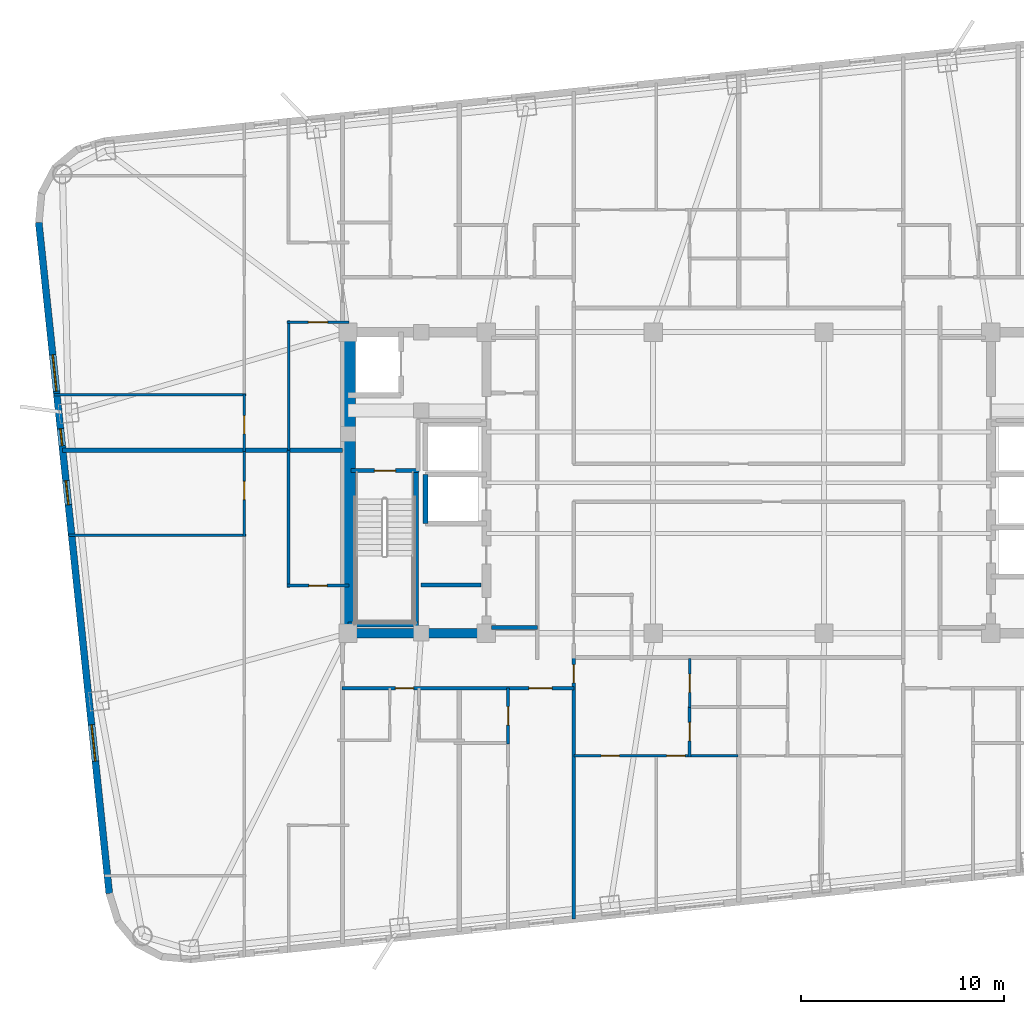
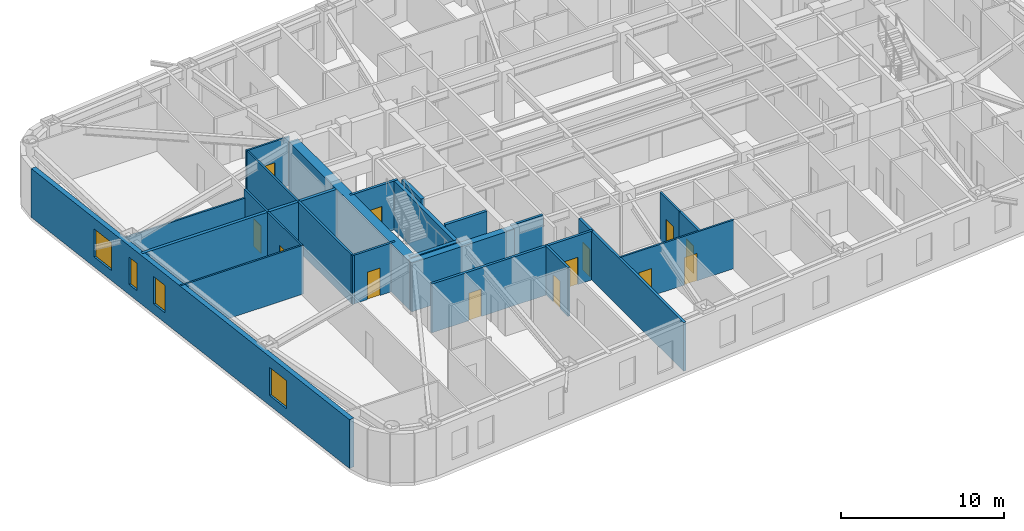
# One storey, part 3 of 12: 24 walls, 13 doors, 4 windows, 17 openings.
"""IFC4 building model written with IfcOpenShell, lengths in metres."""

from ifc_helpers import new_model, si_unit, direction, frame, frame_2d, origin, place, context, subcontext, project, spatial, rectangle, extrude, material, layer, layer_set, type_object, element, fill, save


model = new_model("IFC4")

# Units and contexts
model_context = context("Model", 3, precision=1e-05, world=origin(), true_north=direction((0.0, 1.0)))
body_context = subcontext(model_context, "Body", "Model", "MODEL_VIEW")
ifc_project = project(units=[si_unit("LENGTHUNIT", "METRE"), si_unit("AREAUNIT", "SQUARE_METRE"), si_unit("VOLUMEUNIT", "CUBIC_METRE"), si_unit("PLANEANGLEUNIT", "RADIAN"), si_unit("MASSUNIT", "GRAM", prefix="KILO")], contexts=[model_context])

# Site, building, storey
site_placement = place(None, origin())
site = spatial("IfcSite", under=ifc_project, at=site_placement, CompositionType="ELEMENT")
building_placement = place(site_placement, origin())
building = spatial("IfcBuilding", under=site, at=building_placement, Name="Voryun Gate Residences", CompositionType="ELEMENT")
storey_placement = place(building_placement, frame((0.0, 0.0, 167.699951171875)))
storey = spatial("IfcBuildingStorey", under=building, at=storey_placement, Name="L41", CompositionType="ELEMENT", Elevation=167.699951171875)

# Walls
ifc_material_1 = material(Name="Concrete C50/60", Category="concrete")
ifc_layer_1 = layer(ifc_material_1, 0.449951171875, Name="CW_CORE_450")
ifc_layer_set_1 = layer_set([ifc_layer_1], Name="Concrete C50/60")
wall_type_1 = type_object("IfcWallType", Name="CW_CORE_450", PredefinedType="SHEAR", material=ifc_layer_set_1)
wall_1_placement = place(storey_placement, frame((-19.425048828125, -7.39990234375, 0.0), z_axis=(0.0, 0.0, 1.0), x_axis=(1.0, 0.0, 0.0)))
element("IfcWall", 1, at=wall_1_placement, inside=storey, type_object=wall_type_1, Name="L41 Core shear wall CW-L41-WS", PredefinedType="SHEAR", context=body_context, shape_type="SweptSolid", body=[
    extrude(rectangle(XDim=7.25, YDim=0.449951171875, at=frame_2d((3.625, 0.0))), origin(), (0.0, 0.0, 1.0), 3.650146484375),
])
ifc_material_2 = material(Name="Concrete C60/75", Category="concrete")
ifc_layer_2 = layer(ifc_material_2, 0.64990234375, Name="CW_CORE_650")
ifc_layer_set_2 = layer_set([ifc_layer_2], Name="Concrete C60/75")
wall_type_2 = type_object("IfcWallType", Name="CW_CORE_650", PredefinedType="SHEAR", material=ifc_layer_set_2)
wall_2_placement = place(storey_placement, frame((-19.14501953125, -7.39990234375, 0.0), z_axis=(0.0, 0.0, 1.0), x_axis=(0.0, 1.0, 0.0)))
element("IfcWall", 2, at=wall_2_placement, inside=storey, type_object=wall_type_2, Name="L41 Core shear wall CW-L41-WW", PredefinedType="SHEAR", context=body_context, shape_type="SweptSolid", body=[
    extrude(rectangle(XDim=14.7998046875, YDim=0.64990234375, at=frame_2d((7.39990234375, 0.0))), origin(), (0.0, 0.0, 1.0), 3.650146484375),
])

# Wall, opening, door
ifc_material_3 = material(Name="Gypsum acoustic fireboard")
ifc_layer_3 = layer(ifc_material_3, 0.179931640625, Name="W_CORR_RATED_180")
ifc_layer_set_3 = layer_set([ifc_layer_3], Name="Gypsum acoustic fireboard")
wall_type_3 = type_object("IfcWallType", Name="W_CORR_RATED_180", PredefinedType="PARTITIONING", material=ifc_layer_set_3)
wall_3_placement = place(storey_placement, frame((-19.06005859375, 0.60009765625, 0.0), z_axis=(0.0, 0.0, 1.0), x_axis=(1.0, 0.0, 0.0)))
wall_3 = element("IfcWall", 3, at=wall_3_placement, inside=storey, type_object=wall_type_3, Name="Partition wall WP-L41-STV-W", PredefinedType="PARTITIONING", context=body_context, shape_type="SweptSolid", body=[
    extrude(rectangle(XDim=3.360107421875, YDim=0.179931640625, at=frame_2d((1.68017578125, 0.0))), origin(), (0.0, 0.0, 1.0), 3.650146484375),
])
opening_1_placement = place(wall_3_placement, frame((1.155029296875, 0.0, 0.0)))
opening_1 = element("IfcOpeningElement", 4, at=opening_1_placement, cuts=wall_3, Name="Opening D-FD60-1", PredefinedType="OPENING", context=body_context, shape_type="SweptSolid", body=[
    extrude(rectangle(XDim=1.050048828125, YDim=2.050048828125, at=frame_2d((0.52490234375, 1.02490234375))), frame((0.0, 0.099853515625, 0.0), z_axis=(0.0, -1.0, 0.0), x_axis=(1.0, 0.0, 0.0)), (0.0, 0.0, 1.0), 0.199951171875),
])
ifc_material_4 = material(Name="Painted steel fire door", Category="steel")
door_type_1 = type_object("IfcDoorType", Name="DR_FD60_STAIR_1050", OperationType="NOTDEFINED", PredefinedType="DOOR", material=ifc_material_4)
door_1_placement = place(opening_1_placement, origin())
door_1 = element("IfcDoor", 5, at=door_1_placement, inside=storey, type_object=door_type_1, Name="Door DR-L41-ST-W", OperationType="SINGLE_SWING_LEFT", OverallHeight=2.050048828125, OverallWidth=1.050048828125, PredefinedType="DOOR", context=body_context, shape_type="SweptSolid", body=[
    extrude(rectangle(XDim=1.050048828125, YDim=2.050048828125, at=frame_2d((0.52490234375, 1.02490234375))), frame((0.0, 0.02490234375, 0.0), z_axis=(0.0, -1.0, 0.0), x_axis=(1.0, 0.0, 0.0)), (0.0, 0.0, 1.0), 0.050048828125),
])
fill(opening_1, door_1)

# Wall
wall_4_placement = place(storey_placement, frame((-12.14990234375, -7.1201171875, 0.0), z_axis=(0.0, 0.0, 1.0), x_axis=(1.0, 0.0, 0.0)))
element("IfcWall", 6, at=wall_4_placement, inside=storey, type_object=wall_type_3, Name="Partition wall WP-L41-PLBS-W", PredefinedType="PARTITIONING", context=body_context, shape_type="SweptSolid", body=[
    extrude(rectangle(XDim=2.27001953125, YDim=0.179931640625, at=frame_2d((1.135009765625, 0.0))), origin(), (0.0, 0.0, 1.0), 3.650146484375),
])

# Wall, openings, doors
wall_5_placement = place(storey_placement, frame((-19.5, -10.10009765625, 0.0), z_axis=(0.0, 0.0, 1.0), x_axis=(1.0, 0.0, 0.0)))
wall_5 = element("IfcWall", 7, at=wall_5_placement, inside=storey, type_object=wall_type_3, Name="Partition wall WP-L41-SCORR-W", PredefinedType="PARTITIONING", context=body_context, shape_type="SweptSolid", body=[
    extrude(rectangle(XDim=11.419921875, YDim=0.179931640625, at=frame_2d((5.7099609375, 0.0))), origin(), (0.0, 0.0, 1.0), 3.650146484375),
])
opening_2_placement = place(wall_5_placement, frame((2.623046875, 0.0, 0.0)))
opening_2 = element("IfcOpeningElement", 8, at=opening_2_placement, cuts=wall_5, Name="Opening D-INT-2", PredefinedType="OPENING", context=body_context, shape_type="SweptSolid", body=[
    extrude(rectangle(XDim=0.89990234375, YDim=2.050048828125, at=frame_2d((0.449951171875, 1.02490234375))), frame((0.0, 0.099853515625, 0.0), z_axis=(0.0, -1.0, 0.0), x_axis=(1.0, 0.0, 0.0)), (0.0, 0.0, 1.0), 0.199951171875),
])
opening_3_placement = place(wall_5_placement, frame((9.189208984375, 0.0, 0.0)))
opening_3 = element("IfcOpeningElement", 9, at=opening_3_placement, cuts=wall_5, Name="Opening D-UNIT-1", PredefinedType="OPENING", context=body_context, shape_type="SweptSolid", body=[
    extrude(rectangle(XDim=1.14990234375, YDim=2.050048828125, at=frame_2d((0.574951171875, 1.02490234375))), frame((0.0, 0.099853515625, 0.0), z_axis=(0.0, -1.0, 0.0), x_axis=(1.0, 0.0, 0.0)), (0.0, 0.0, 1.0), 0.199951171875),
])
ifc_material_5 = material(Name="Architectural oak veneer")
door_type_2 = type_object("IfcDoorType", Name="DR_INT_BATH_900", OperationType="NOTDEFINED", PredefinedType="DOOR", material=ifc_material_5)
door_2_placement = place(opening_2_placement, origin())
door_2 = element("IfcDoor", 10, at=door_2_placement, inside=storey, type_object=door_type_2, Name="Door DR-L41-SENT-1", OperationType="SINGLE_SWING_RIGHT", OverallHeight=2.050048828125, OverallWidth=0.89990234375, PredefinedType="DOOR", context=body_context, shape_type="SweptSolid", body=[
    extrude(rectangle(XDim=0.89990234375, YDim=2.050048828125, at=frame_2d((0.449951171875, 1.02490234375))), frame((0.0, 0.02490234375, 0.0), z_axis=(0.0, -1.0, 0.0), x_axis=(1.0, 0.0, 0.0)), (0.0, 0.0, 1.0), 0.050048828125),
])
fill(opening_2, door_2)
ifc_material_6 = material(Name="Armoured timber-clad fire door", Category="wood")
door_type_3 = type_object("IfcDoorType", Name="DR_UNIT_ENTRY_1150", OperationType="NOTDEFINED", PredefinedType="DOOR", material=ifc_material_6)
door_3_placement = place(opening_3_placement, origin())
door_3 = element("IfcDoor", 11, at=door_3_placement, inside=storey, type_object=door_type_3, Name="Door DR-L41-SENT-2", OperationType="SINGLE_SWING_LEFT", OverallHeight=2.050048828125, OverallWidth=1.14990234375, PredefinedType="DOOR", context=body_context, shape_type="SweptSolid", body=[
    extrude(rectangle(XDim=1.14990234375, YDim=2.050048828125, at=frame_2d((0.574951171875, 1.02490234375))), frame((0.0, 0.02490234375, 0.0), z_axis=(0.0, -1.0, 0.0), x_axis=(1.0, 0.0, 0.0)), (0.0, 0.0, 1.0), 0.050048828125),
])
fill(opening_3, door_3)

# Wall, opening, door
wall_6_placement = place(storey_placement, frame((-8.10009765625, -21.456298828125, 0.0), z_axis=(0.0, 0.0, 1.0), x_axis=(0.0, 1.0, 0.0)))
wall_6 = element("IfcWall", 12, at=wall_6_placement, inside=storey, type_object=wall_type_3, Name="Partition wall WP-L41-SZV-1", PredefinedType="PARTITIONING", context=body_context, shape_type="SweptSolid", body=[
    extrude(rectangle(XDim=12.8662109375, YDim=0.179931640625, at=frame_2d((6.43310546875, 0.0))), origin(), (0.0, 0.0, 1.0), 3.650146484375),
])
opening_4_placement = place(wall_6_placement, frame((11.6162109375, 0.0, 0.0)))
opening_4 = element("IfcOpeningElement", 13, at=opening_4_placement, cuts=wall_6, Name="Opening D-INT-2", PredefinedType="OPENING", context=body_context, shape_type="SweptSolid", body=[
    extrude(rectangle(XDim=0.89990234375, YDim=2.050048828125, at=frame_2d((0.449951171875, 1.02490234375))), frame((0.0, 0.099853515625, 0.0), z_axis=(0.0, -1.0, 0.0), x_axis=(1.0, 0.0, 0.0)), (0.0, 0.0, 1.0), 0.199951171875),
])
door_4_placement = place(opening_4_placement, origin())
door_4 = element("IfcDoor", 14, at=door_4_placement, inside=storey, type_object=door_type_2, Name="Door DR-L41-SZENT-1", OperationType="SINGLE_SWING_LEFT", OverallHeight=2.050048828125, OverallWidth=0.89990234375, PredefinedType="DOOR", context=body_context, shape_type="SweptSolid", body=[
    extrude(rectangle(XDim=0.89990234375, YDim=2.050048828125, at=frame_2d((0.449951171875, 1.02490234375))), frame((0.0, 0.02490234375, 0.0), z_axis=(0.0, -1.0, 0.0), x_axis=(1.0, 0.0, 0.0)), (0.0, 0.0, 1.0), 0.050048828125),
])
fill(opening_4, door_4)

# Wall, openings, windows
ifc_material_7 = material(Name="Charcoal terracotta masonry", Category="masonry")
ifc_layer_4 = layer(ifc_material_7, 0.340087890625, Name="W_EXT_TERRACOTTA_340")
ifc_layer_set_4 = layer_set([ifc_layer_4], Name="Charcoal terracotta masonry")
wall_type_4 = type_object("IfcWallType", Name="W_EXT_TERRACOTTA_340", PredefinedType="ELEMENTEDWALL", material=ifc_layer_set_4)
wall_7_placement = place(storey_placement, frame((-30.934326171875, -20.189697265625, 0.0), z_axis=(0.0, 0.0, 1.0), x_axis=(-0.10452691388, 0.994522058214, 0.0)))
wall_7 = element("IfcWall", 15, at=wall_7_placement, inside=storey, type_object=wall_type_4, Name="Exterior wall WEXT-L41-06", PredefinedType="ELEMENTEDWALL", context=body_context, shape_type="SweptSolid", body=[
    extrude(rectangle(XDim=33.16650390625, YDim=0.340087890625, at=frame_2d((16.583251953125, 0.0))), origin(), (0.0, 0.0, 1.0), 3.650146484375),
])
opening_5_placement = place(wall_7_placement, frame((6.54150390625, 0.0, 0.75)))
opening_5 = element("IfcOpeningElement", 16, at=opening_5_placement, cuts=wall_7, Name="Opening WN1", PredefinedType="OPENING", context=body_context, shape_type="SweptSolid", body=[
    extrude(rectangle(XDim=1.800048828125, YDim=2.10009765625, at=frame_2d((0.89990234375, 1.050048828125))), frame((0.0, 0.179931640625, 0.0), z_axis=(0.0, -1.0, 0.0), x_axis=(1.0, 0.0, 0.0)), (0.0, 0.0, 1.0), 0.360107421875),
])
opening_6_placement = place(wall_7_placement, frame((24.824951171875, 0.0, 0.75)))
opening_6 = element("IfcOpeningElement", 17, at=opening_6_placement, cuts=wall_7, Name="Opening WN1", PredefinedType="OPENING", context=body_context, shape_type="SweptSolid", body=[
    extrude(rectangle(XDim=1.800048828125, YDim=2.10009765625, at=frame_2d((0.89990234375, 1.050048828125))), frame((0.0, 0.179931640625, 0.0), z_axis=(0.0, -1.0, 0.0), x_axis=(1.0, 0.0, 0.0)), (0.0, 0.0, 1.0), 0.360107421875),
])
opening_7_placement = place(wall_7_placement, frame((19.204833984375, 0.0, 0.75)))
opening_7 = element("IfcOpeningElement", 18, at=opening_7_placement, cuts=wall_7, Name="Opening WN6", PredefinedType="OPENING", context=body_context, shape_type="SweptSolid", body=[
    extrude(rectangle(XDim=1.199951171875, YDim=2.050048828125, at=frame_2d((0.60009765625, 1.02490234375))), frame((0.0, 0.179931640625, 0.0), z_axis=(0.0, -1.0, 0.0), x_axis=(1.0, 0.0, 0.0)), (0.0, 0.0, 1.0), 0.360107421875),
])
opening_8_placement = place(wall_7_placement, frame((22.127197265625, 0.0, 0.75)))
opening_8 = element("IfcOpeningElement", 19, at=opening_8_placement, cuts=wall_7, Name="Opening WN9", PredefinedType="OPENING", context=body_context, shape_type="SweptSolid", body=[
    extrude(rectangle(XDim=0.85009765625, YDim=2.050048828125, at=frame_2d((0.425048828125, 1.02490234375))), frame((0.0, 0.179931640625, 0.0), z_axis=(0.0, -1.0, 0.0), x_axis=(1.0, 0.0, 0.0)), (0.0, 0.0, 1.0), 0.360107421875),
])
ifc_material_8 = material(Name="Laminated low-E glass", Category="glass")
window_type_1 = type_object("IfcWindowType", Name="WN_POD_SLOT_1200", PartitioningType="SINGLE_PANEL", PredefinedType="WINDOW", material=ifc_material_8)
window_1_placement = place(opening_7_placement, origin())
window_1 = element("IfcWindow", 20, at=window_1_placement, inside=storey, type_object=window_type_1, Name="Window WN-L41-DWFIX-21", OverallHeight=2.050048828125, OverallWidth=1.199951171875, PartitioningType="SINGLE_PANEL", PredefinedType="WINDOW", context=body_context, shape_type="SweptSolid", body=[
    extrude(rectangle(XDim=1.199951171875, YDim=2.050048828125, at=frame_2d((0.60009765625, 1.02490234375))), frame((0.0, 0.030029296875, 0.0), z_axis=(0.0, -1.0, 0.0), x_axis=(1.0, 0.0, 0.0)), (0.0, 0.0, 1.0), 0.06005859375),
])
fill(opening_7, window_1)
ifc_material_9 = material(Name="Laminated low-E glass", Category="glass")
window_type_2 = type_object("IfcWindowType", Name="WN_RES_CASEMENT_850", PartitioningType="SINGLE_PANEL", PredefinedType="WINDOW", material=ifc_material_9)
window_2_placement = place(opening_8_placement, origin())
window_2 = element("IfcWindow", 21, at=window_2_placement, inside=storey, type_object=window_type_2, Name="Window WN-L41-DWFIX-25", OverallHeight=2.050048828125, OverallWidth=0.85009765625, PartitioningType="SINGLE_PANEL", PredefinedType="WINDOW", context=body_context, shape_type="SweptSolid", body=[
    extrude(rectangle(XDim=0.85009765625, YDim=2.050048828125, at=frame_2d((0.425048828125, 1.02490234375))), frame((0.0, 0.030029296875, 0.0), z_axis=(0.0, -1.0, 0.0), x_axis=(1.0, 0.0, 0.0)), (0.0, 0.0, 1.0), 0.06005859375),
])
fill(opening_8, window_2)
ifc_material_10 = material(Name="Laminated low-E glass", Category="glass")
window_type_3 = type_object("IfcWindowType", Name="WN_RES_PUNCH_1800", PartitioningType="SINGLE_PANEL", PredefinedType="WINDOW", material=ifc_material_10)
window_3_placement = place(opening_5_placement, origin())
window_3 = element("IfcWindow", 22, at=window_3_placement, inside=storey, type_object=window_type_3, Name="Window WN-WEXT-L41-06-01", OverallHeight=2.10009765625, OverallWidth=1.800048828125, PartitioningType="SINGLE_PANEL", PredefinedType="WINDOW", context=body_context, shape_type="SweptSolid", body=[
    extrude(rectangle(XDim=1.800048828125, YDim=2.10009765625, at=frame_2d((0.89990234375, 1.050048828125))), frame((0.0, 0.030029296875, 0.0), z_axis=(0.0, -1.0, 0.0), x_axis=(1.0, 0.0, 0.0)), (0.0, 0.0, 1.0), 0.06005859375),
])
fill(opening_5, window_3)
window_4_placement = place(opening_6_placement, origin())
window_4 = element("IfcWindow", 23, at=window_4_placement, inside=storey, type_object=window_type_3, Name="Window WN-WEXT-L41-06-02", OverallHeight=2.10009765625, OverallWidth=1.800048828125, PartitioningType="SINGLE_PANEL", PredefinedType="WINDOW", context=body_context, shape_type="SweptSolid", body=[
    extrude(rectangle(XDim=1.800048828125, YDim=2.10009765625, at=frame_2d((0.89990234375, 1.050048828125))), frame((0.0, 0.030029296875, 0.0), z_axis=(0.0, -1.0, 0.0), x_axis=(1.0, 0.0, 0.0)), (0.0, 0.0, 1.0), 0.06005859375),
])
fill(opening_6, window_4)

# Walls
ifc_material_11 = material(Name="Concrete C40/50", Category="concrete")
ifc_layer_5 = layer(ifc_material_11, 0.199951171875, Name="W_FF_LOBBY_200")
ifc_layer_set_5 = layer_set([ifc_layer_5], Name="Concrete C40/50")
wall_type_5 = type_object("IfcWallType", Name="W_FF_LOBBY_200", PredefinedType="PARTITIONING", material=ifc_layer_set_5)
wall_8_placement = place(storey_placement, frame((-15.60009765625, -5.030029296875, 0.0), z_axis=(0.0, 0.0, 1.0), x_axis=(1.0, 0.0, 0.0)))
element("IfcWall", 24, at=wall_8_placement, inside=storey, type_object=wall_type_5, Name="Partition wall WP-L41-RECWB", PredefinedType="PARTITIONING", context=body_context, shape_type="SweptSolid", body=[
    extrude(rectangle(XDim=2.940185546875, YDim=0.199951171875, at=frame_2d((1.47021484375, 0.0))), origin(), (0.0, 0.0, 1.0), 3.650146484375),
])
ifc_material_12 = material(Name="Concrete C40/50", Category="concrete")
ifc_layer_6 = layer(ifc_material_12, 0.219970703125, Name="W_PARTY_ACOUSTIC_220")
ifc_layer_set_6 = layer_set([ifc_layer_6], Name="Concrete C40/50")
wall_type_6 = type_object("IfcWallType", Name="W_PARTY_ACOUSTIC_220", PredefinedType="PARTITIONING", material=ifc_layer_set_6)
wall_9_placement = place(storey_placement, frame((-19.469970703125, 1.60009765625, 0.0), z_axis=(0.0, 0.0, 1.0), x_axis=(-1.0, 0.0, 0.0)))
element("IfcWall", 25, at=wall_9_placement, inside=storey, type_object=wall_type_6, Name="Partition wall WP-L41-WPTY", PredefinedType="PARTITIONING", context=body_context, shape_type="SweptSolid", body=[
    extrude(rectangle(XDim=13.75439453125, YDim=0.219970703125, at=frame_2d((6.877197265625, 0.0))), origin(), (0.0, 0.0, 1.0), 3.650146484375),
])
ifc_material_13 = material(Name="Concrete C50/60", Category="concrete")
ifc_layer_7 = layer(ifc_material_13, 0.25, Name="W_SHAFT_RC250")
ifc_layer_set_7 = layer_set([ifc_layer_7], Name="Concrete C50/60")
wall_type_7 = type_object("IfcWallType", Name="W_SHAFT_RC250", PredefinedType="SOLIDWALL", material=ifc_layer_set_7)
wall_10_placement = place(storey_placement, frame((-15.860107421875, -7.0849609375, 0.0), z_axis=(0.0, 0.0, 1.0), x_axis=(0.0, 1.0, 0.0)))
element("IfcWall", 26, at=wall_10_placement, inside=storey, type_object=wall_type_7, Name="L41 Stair shaft structural wall W-STR", PredefinedType="SOLIDWALL", context=body_context, shape_type="SweptSolid", body=[
    extrude(rectangle(XDim=7.68505859375, YDim=0.25, at=frame_2d((3.842529296875, 0.0))), origin(), (0.0, 0.0, 1.0), 3.650146484375),
])
wall_11_placement = place(storey_placement, frame((-19.199951171875, -6.965087890625, 0.0), z_axis=(0.0, 0.0, 1.0), x_axis=(1.0, 0.0, 0.0)))
element("IfcWall", 27, at=wall_11_placement, inside=storey, type_object=wall_type_7, Name="L41 Stair shaft structural wall W-STS", PredefinedType="SOLIDWALL", context=body_context, shape_type="SweptSolid", body=[
    extrude(rectangle(XDim=3.4599609375, YDim=0.25, at=frame_2d((1.72998046875, 0.0))), origin(), (0.0, 0.0, 1.0), 3.650146484375),
])
wall_12_placement = place(storey_placement, frame((-15.39990234375, 0.39990234375, 0.0), z_axis=(0.0, 0.0, 1.0), x_axis=(0.0, -1.0, 0.0)))
element("IfcWall", 28, at=wall_12_placement, inside=storey, type_object=wall_type_7, Name="Lift shaft wall WSH-L41-EL-P4-W", PredefinedType="SOLIDWALL", context=body_context, shape_type="SweptSolid", body=[
    extrude(rectangle(XDim=2.39990234375, YDim=0.25, at=frame_2d((1.199951171875, 0.0))), origin(), (0.0, 0.0, 1.0), 3.650146484375),
])

# Wall, openings, doors
ifc_material_14 = material(Name="Gypsum acoustic partition")
ifc_layer_8 = layer(ifc_material_14, 0.125, Name="W_UNIT_PART_125")
ifc_layer_set_8 = layer_set([ifc_layer_8], Name="Gypsum acoustic partition")
wall_type_8 = type_object("IfcWallType", Name="W_UNIT_PART_125", PredefinedType="PARTITIONING", material=ifc_layer_set_8)
wall_13_placement = place(storey_placement, frame((-8.080078125, -13.429931640625, 0.0), z_axis=(0.0, 0.0, 1.0), x_axis=(1.0, 0.0, 0.0)))
wall_13 = element("IfcWall", 29, at=wall_13_placement, inside=storey, type_object=wall_type_8, Name="Partition wall WP-L41-SC1-HZ", PredefinedType="PARTITIONING", context=body_context, shape_type="SweptSolid", body=[
    extrude(rectangle(XDim=8.06005859375, YDim=0.125, at=frame_2d((4.030029296875, 0.0))), origin(), (0.0, 0.0, 1.0), 3.650146484375),
])
opening_9_placement = place(wall_13_placement, frame((1.3232421875, 0.0, 0.0)))
opening_9 = element("IfcOpeningElement", 30, at=opening_9_placement, cuts=wall_13, Name="Opening D-INT-2", PredefinedType="OPENING", context=body_context, shape_type="SweptSolid", body=[
    extrude(rectangle(XDim=0.89990234375, YDim=2.050048828125, at=frame_2d((0.449951171875, 1.02490234375))), frame((0.0, 0.072509765625, 0.0), z_axis=(0.0, -1.0, 0.0), x_axis=(1.0, 0.0, 0.0)), (0.0, 0.0, 1.0), 0.14501953125),
])
opening_10_placement = place(wall_13_placement, frame((4.547119140625, 0.0, 0.0)))
opening_10 = element("IfcOpeningElement", 31, at=opening_10_placement, cuts=wall_13, Name="Opening D-INT-2", PredefinedType="OPENING", context=body_context, shape_type="SweptSolid", body=[
    extrude(rectangle(XDim=0.89990234375, YDim=2.050048828125, at=frame_2d((0.449951171875, 1.02490234375))), frame((0.0, 0.072509765625, 0.0), z_axis=(0.0, -1.0, 0.0), x_axis=(1.0, 0.0, 0.0)), (0.0, 0.0, 1.0), 0.14501953125),
])
door_5_placement = place(opening_9_placement, origin())
door_5 = element("IfcDoor", 32, at=door_5_placement, inside=storey, type_object=door_type_2, Name="Door DR-L41-SC1-DMB", OperationType="SINGLE_SWING_LEFT", OverallHeight=2.050048828125, OverallWidth=0.89990234375, PredefinedType="DOOR", context=body_context, shape_type="SweptSolid", body=[
    extrude(rectangle(XDim=0.89990234375, YDim=2.050048828125, at=frame_2d((0.449951171875, 1.02490234375))), frame((0.0, 0.02490234375, 0.0), z_axis=(0.0, -1.0, 0.0), x_axis=(1.0, 0.0, 0.0)), (0.0, 0.0, 1.0), 0.050048828125),
])
fill(opening_9, door_5)
door_6_placement = place(opening_10_placement, origin())
door_6 = element("IfcDoor", 33, at=door_6_placement, inside=storey, type_object=door_type_2, Name="Door DR-L41-SC1-DBD2", OperationType="SINGLE_SWING_RIGHT", OverallHeight=2.050048828125, OverallWidth=0.89990234375, PredefinedType="DOOR", context=body_context, shape_type="SweptSolid", body=[
    extrude(rectangle(XDim=0.89990234375, YDim=2.050048828125, at=frame_2d((0.449951171875, 1.02490234375))), frame((0.0, 0.02490234375, 0.0), z_axis=(0.0, -1.0, 0.0), x_axis=(1.0, 0.0, 0.0)), (0.0, 0.0, 1.0), 0.050048828125),
])
fill(opening_10, door_6)

# Wall, opening, door
wall_14_placement = place(storey_placement, frame((-2.409912109375, -11.06005859375, 0.0), z_axis=(0.0, 0.0, 1.0), x_axis=(0.0, 1.0, 0.0)))
wall_14 = element("IfcWall", 34, at=wall_14_placement, inside=storey, type_object=wall_type_8, Name="Partition wall WP-L41-SC1-VK1", PredefinedType="PARTITIONING", context=body_context, shape_type="SweptSolid", body=[
    extrude(rectangle(XDim=2.41015625, YDim=0.125, at=frame_2d((1.205078125, 0.0))), origin(), (0.0, 0.0, 1.0), 3.650146484375),
])
opening_11_placement = place(wall_14_placement, frame((0.7548828125, 0.0, 0.0)))
opening_11 = element("IfcOpeningElement", 35, at=opening_11_placement, cuts=wall_14, Name="Opening D-INT-2", PredefinedType="OPENING", context=body_context, shape_type="SweptSolid", body=[
    extrude(rectangle(XDim=0.89990234375, YDim=2.050048828125, at=frame_2d((0.449951171875, 1.02490234375))), frame((0.0, 0.072509765625, 0.0), z_axis=(0.0, -1.0, 0.0), x_axis=(1.0, 0.0, 0.0)), (0.0, 0.0, 1.0), 0.14501953125),
])
door_7_placement = place(opening_11_placement, origin())
door_7 = element("IfcDoor", 36, at=door_7_placement, inside=storey, type_object=door_type_2, Name="Door DR-L41-SC1-DK", OperationType="SINGLE_SWING_LEFT", OverallHeight=2.050048828125, OverallWidth=0.89990234375, PredefinedType="DOOR", context=body_context, shape_type="SweptSolid", body=[
    extrude(rectangle(XDim=0.89990234375, YDim=2.050048828125, at=frame_2d((0.449951171875, 1.02490234375))), frame((0.0, 0.02490234375, 0.0), z_axis=(0.0, -1.0, 0.0), x_axis=(1.0, 0.0, 0.0)), (0.0, 0.0, 1.0), 0.050048828125),
])
fill(opening_11, door_7)

# Wall
wall_15_placement = place(storey_placement, frame((-32.935791015625, -2.58203125, 0.0), z_axis=(0.0, 0.0, 1.0), x_axis=(1.0, 0.0, 0.0)))
element("IfcWall", 37, at=wall_15_placement, inside=storey, type_object=wall_type_8, Name="Partition wall WP-L41-W1-OH2", PredefinedType="PARTITIONING", context=body_context, shape_type="SweptSolid", body=[
    extrude(rectangle(XDim=8.7158203125, YDim=0.125, at=frame_2d((4.35791015625, 0.0))), origin(), (0.0, 0.0, 1.0), 3.650146484375),
])

# Wall, opening, door
wall_16_placement = place(storey_placement, frame((-24.300048828125, -2.632080078125, 0.0), z_axis=(0.0, 0.0, 1.0), x_axis=(0.0, 1.0, 0.0)))
wall_16 = element("IfcWall", 38, at=wall_16_placement, inside=storey, type_object=wall_type_8, Name="Partition wall WP-L41-W1-OVX3", PredefinedType="PARTITIONING", context=body_context, shape_type="SweptSolid", body=[
    extrude(rectangle(XDim=4.294677734375, YDim=0.125, at=frame_2d((2.1474609375, 0.0))), origin(), (0.0, 0.0, 1.0), 3.650146484375),
])
opening_12_placement = place(wall_16_placement, frame((1.7958984375, 0.0, 0.0)))
opening_12 = element("IfcOpeningElement", 39, at=opening_12_placement, cuts=wall_16, Name="Opening D-INT-2", PredefinedType="OPENING", context=body_context, shape_type="SweptSolid", body=[
    extrude(rectangle(XDim=0.89990234375, YDim=2.050048828125, at=frame_2d((0.449951171875, 1.02490234375))), frame((0.0, 0.072509765625, 0.0), z_axis=(0.0, -1.0, 0.0), x_axis=(1.0, 0.0, 0.0)), (0.0, 0.0, 1.0), 0.14501953125),
])
door_8_placement = place(opening_12_placement, origin())
door_8 = element("IfcDoor", 40, at=door_8_placement, inside=storey, type_object=door_type_2, Name="Door DR-L41-W1-DMB", OperationType="SINGLE_SWING_LEFT", OverallHeight=2.050048828125, OverallWidth=0.89990234375, PredefinedType="DOOR", context=body_context, shape_type="SweptSolid", body=[
    extrude(rectangle(XDim=0.89990234375, YDim=2.050048828125, at=frame_2d((0.449951171875, 1.02490234375))), frame((0.0, 0.02490234375, 0.0), z_axis=(0.0, -1.0, 0.0), x_axis=(1.0, 0.0, 0.0)), (0.0, 0.0, 1.0), 0.050048828125),
])
fill(opening_12, door_8)

# Wall
wall_17_placement = place(storey_placement, frame((-33.66064453125, 4.31494140625, 0.0), z_axis=(0.0, 0.0, 1.0), x_axis=(1.0, 0.0, 0.0)))
element("IfcWall", 41, at=wall_17_placement, inside=storey, type_object=wall_type_8, Name="Partition wall WP-L41-W2-OH1", PredefinedType="PARTITIONING", context=body_context, shape_type="SweptSolid", body=[
    extrude(rectangle(XDim=9.440673828125, YDim=0.125, at=frame_2d((4.72021484375, 0.0))), origin(), (0.0, 0.0, 1.0), 3.0400390625),
])

# Wall, opening, door
wall_18_placement = place(storey_placement, frame((-24.300048828125, 1.53759765625, 0.0), z_axis=(0.0, 0.0, 1.0), x_axis=(0.0, 1.0, 0.0)))
wall_18 = element("IfcWall", 42, at=wall_18_placement, inside=storey, type_object=wall_type_8, Name="Partition wall WP-L41-W2-OVX1", PredefinedType="PARTITIONING", context=body_context, shape_type="SweptSolid", body=[
    extrude(rectangle(XDim=2.827392578125, YDim=0.125, at=frame_2d((1.41357421875, 0.0))), origin(), (0.0, 0.0, 1.0), 3.650146484375),
])
opening_13_placement = place(wall_18_placement, frame((0.864990234375, 0.0, 0.0)))
opening_13 = element("IfcOpeningElement", 43, at=opening_13_placement, cuts=wall_18, Name="Opening D-INT-2", PredefinedType="OPENING", context=body_context, shape_type="SweptSolid", body=[
    extrude(rectangle(XDim=0.89990234375, YDim=2.050048828125, at=frame_2d((0.449951171875, 1.02490234375))), frame((0.0, 0.072509765625, 0.0), z_axis=(0.0, -1.0, 0.0), x_axis=(1.0, 0.0, 0.0)), (0.0, 0.0, 1.0), 0.14501953125),
])
door_9_placement = place(opening_13_placement, origin())
door_9 = element("IfcDoor", 44, at=door_9_placement, inside=storey, type_object=door_type_2, Name="Door DR-L41-W2-DBD2", OperationType="SINGLE_SWING_LEFT", OverallHeight=2.050048828125, OverallWidth=0.89990234375, PredefinedType="DOOR", context=body_context, shape_type="SweptSolid", body=[
    extrude(rectangle(XDim=0.89990234375, YDim=2.050048828125, at=frame_2d((0.449951171875, 1.02490234375))), frame((0.0, 0.02490234375, 0.0), z_axis=(0.0, -1.0, 0.0), x_axis=(1.0, 0.0, 0.0)), (0.0, 0.0, 1.0), 0.050048828125),
])
fill(opening_13, door_9)

wall_19_placement = place(storey_placement, frame((-22.199951171875, 7.884033203125, 0.0), z_axis=(0.0, 0.0, 1.0), x_axis=(1.0, 0.0, 0.0)))
wall_19 = element("IfcWall", 45, at=wall_19_placement, inside=storey, type_object=wall_type_8, Name="Partition wall WP-L41-W2-IKA", PredefinedType="PARTITIONING", context=body_context, shape_type="SweptSolid", body=[
    extrude(rectangle(XDim=3.050048828125, YDim=0.125, at=frame_2d((1.52490234375, 0.0))), origin(), (0.0, 0.0, 1.0), 3.650146484375),
])
opening_14_placement = place(wall_19_placement, frame((1.050048828125, 0.0, 0.0)))
opening_14 = element("IfcOpeningElement", 46, at=opening_14_placement, cuts=wall_19, Name="Opening D-INT-1", PredefinedType="OPENING", context=body_context, shape_type="SweptSolid", body=[
    extrude(rectangle(XDim=0.949951171875, YDim=2.050048828125, at=frame_2d((0.47509765625, 1.02490234375))), frame((0.0, 0.072509765625, 0.0), z_axis=(0.0, -1.0, 0.0), x_axis=(1.0, 0.0, 0.0)), (0.0, 0.0, 1.0), 0.14501953125),
])
ifc_material_15 = material(Name="Architectural oak veneer")
door_type_4 = type_object("IfcDoorType", Name="DR_INT_ROOM_950", OperationType="NOTDEFINED", PredefinedType="DOOR", material=ifc_material_15)
door_10_placement = place(opening_14_placement, origin())
door_10 = element("IfcDoor", 47, at=door_10_placement, inside=storey, type_object=door_type_4, Name="Door DR-L41-W2-DK", OperationType="SINGLE_SWING_LEFT", OverallHeight=2.050048828125, OverallWidth=0.949951171875, PredefinedType="DOOR", context=body_context, shape_type="SweptSolid", body=[
    extrude(rectangle(XDim=0.949951171875, YDim=2.050048828125, at=frame_2d((0.47509765625, 1.02490234375))), frame((0.0, 0.02490234375, 0.0), z_axis=(0.0, -1.0, 0.0), x_axis=(1.0, 0.0, 0.0)), (0.0, 0.0, 1.0), 0.050048828125),
])
fill(opening_14, door_10)

# Wall
wall_20_placement = place(storey_placement, frame((-22.1201171875, 1.6201171875, 0.0), z_axis=(0.0, 0.0, 1.0), x_axis=(0.0, 1.0, 0.0)))
element("IfcWall", 48, at=wall_20_placement, inside=storey, type_object=wall_type_8, Name="Partition wall WP-L41-W2-VTA", PredefinedType="PARTITIONING", context=body_context, shape_type="SweptSolid", body=[
    extrude(rectangle(XDim=6.343994140625, YDim=0.125, at=frame_2d((3.171875, 0.0))), origin(), (0.0, 0.0, 1.0), 3.650146484375),
])

# Wall, opening, door
ifc_material_16 = material(Name="Gypsum moisture-resistant partition")
ifc_layer_9 = layer(ifc_material_16, 0.14990234375, Name="W_WET_PLUMB_150")
ifc_layer_set_9 = layer_set([ifc_layer_9], Name="Gypsum moisture-resistant partition")
wall_type_9 = type_object("IfcWallType", Name="W_WET_PLUMB_150", PredefinedType="PLUMBINGWALL", material=ifc_layer_set_9)
wall_21_placement = place(storey_placement, frame((-11.3310546875, -12.840087890625, 0.0), z_axis=(0.0, 0.0, 1.0), x_axis=(0.0, 1.0, 0.0)))
wall_21 = element("IfcWall", 49, at=wall_21_placement, inside=storey, type_object=wall_type_9, Name="Partition wall WP-L41-S2-SVT2", PredefinedType="PLUMBINGWALL", context=body_context, shape_type="SweptSolid", body=[
    extrude(rectangle(XDim=2.760009765625, YDim=0.14990234375, at=frame_2d((1.3798828125, 0.0))), origin(), (0.0, 0.0, 1.0), 3.650146484375),
])
opening_15_placement = place(wall_21_placement, frame((0.929931640625, 0.0, 0.0)))
opening_15 = element("IfcOpeningElement", 50, at=opening_15_placement, cuts=wall_21, Name="Opening D-INT-2", PredefinedType="OPENING", context=body_context, shape_type="SweptSolid", body=[
    extrude(rectangle(XDim=0.89990234375, YDim=2.050048828125, at=frame_2d((0.449951171875, 1.02490234375))), frame((0.0, 0.0849609375, 0.0), z_axis=(0.0, -1.0, 0.0), x_axis=(1.0, 0.0, 0.0)), (0.0, 0.0, 1.0), 0.169921875),
])
door_11_placement = place(opening_15_placement, origin())
door_11 = element("IfcDoor", 51, at=door_11_placement, inside=storey, type_object=door_type_2, Name="Door DR-L41-S2-DB", OperationType="SINGLE_SWING_RIGHT", OverallHeight=2.050048828125, OverallWidth=0.89990234375, PredefinedType="DOOR", context=body_context, shape_type="SweptSolid", body=[
    extrude(rectangle(XDim=0.89990234375, YDim=2.050048828125, at=frame_2d((0.449951171875, 1.02490234375))), frame((0.0, 0.02490234375, 0.0), z_axis=(0.0, -1.0, 0.0), x_axis=(1.0, 0.0, 0.0)), (0.0, 0.0, 1.0), 0.050048828125),
])
fill(opening_15, door_11)

wall_22_placement = place(storey_placement, frame((-2.409912109375, -13.469970703125, 0.0), z_axis=(0.0, 0.0, 1.0), x_axis=(0.0, 1.0, 0.0)))
wall_22 = element("IfcWall", 52, at=wall_22_placement, inside=storey, type_object=wall_type_9, Name="Partition wall WP-L41-SC1-VK2", PredefinedType="PLUMBINGWALL", context=body_context, shape_type="SweptSolid", body=[
    extrude(rectangle(XDim=2.469970703125, YDim=0.14990234375, at=frame_2d((1.23486328125, 0.0))), origin(), (0.0, 0.0, 1.0), 3.650146484375),
])
opening_16_placement = place(wall_22_placement, frame((0.784912109375, 0.0, 0.0)))
opening_16 = element("IfcOpeningElement", 53, at=opening_16_placement, cuts=wall_22, Name="Opening D-INT-2", PredefinedType="OPENING", context=body_context, shape_type="SweptSolid", body=[
    extrude(rectangle(XDim=0.89990234375, YDim=2.050048828125, at=frame_2d((0.449951171875, 1.02490234375))), frame((0.0, 0.0849609375, 0.0), z_axis=(0.0, -1.0, 0.0), x_axis=(1.0, 0.0, 0.0)), (0.0, 0.0, 1.0), 0.169921875),
])
door_12_placement = place(opening_16_placement, origin())
door_12 = element("IfcDoor", 54, at=door_12_placement, inside=storey, type_object=door_type_2, Name="Door DR-L41-SC1-DB", OperationType="SINGLE_SWING_RIGHT", OverallHeight=2.050048828125, OverallWidth=0.89990234375, PredefinedType="DOOR", context=body_context, shape_type="SweptSolid", body=[
    extrude(rectangle(XDim=0.89990234375, YDim=2.050048828125, at=frame_2d((0.449951171875, 1.02490234375))), frame((0.0, 0.02490234375, 0.0), z_axis=(0.0, -1.0, 0.0), x_axis=(1.0, 0.0, 0.0)), (0.0, 0.0, 1.0), 0.050048828125),
])
fill(opening_16, door_12)

wall_23_placement = place(storey_placement, frame((-22.199951171875, -5.06005859375, 0.0), z_axis=(0.0, 0.0, 1.0), x_axis=(1.0, 0.0, 0.0)))
wall_23 = element("IfcWall", 55, at=wall_23_placement, inside=storey, type_object=wall_type_9, Name="Partition wall WP-L41-W1-IBB", PredefinedType="PLUMBINGWALL", context=body_context, shape_type="SweptSolid", body=[
    extrude(rectangle(XDim=3.050048828125, YDim=0.14990234375, at=frame_2d((1.52490234375, 0.0))), origin(), (0.0, 0.0, 1.0), 3.650146484375),
])
opening_17_placement = place(wall_23_placement, frame((1.074951171875, 0.0, 0.0)))
opening_17 = element("IfcOpeningElement", 56, at=opening_17_placement, cuts=wall_23, Name="Opening D-INT-2", PredefinedType="OPENING", context=body_context, shape_type="SweptSolid", body=[
    extrude(rectangle(XDim=0.89990234375, YDim=2.050048828125, at=frame_2d((0.449951171875, 1.02490234375))), frame((0.0, 0.0849609375, 0.0), z_axis=(0.0, -1.0, 0.0), x_axis=(1.0, 0.0, 0.0)), (0.0, 0.0, 1.0), 0.169921875),
])
door_13_placement = place(opening_17_placement, origin())
door_13 = element("IfcDoor", 57, at=door_13_placement, inside=storey, type_object=door_type_2, Name="Door DR-L41-W1-DB", OperationType="SINGLE_SWING_RIGHT", OverallHeight=2.050048828125, OverallWidth=0.89990234375, PredefinedType="DOOR", context=body_context, shape_type="SweptSolid", body=[
    extrude(rectangle(XDim=0.89990234375, YDim=2.050048828125, at=frame_2d((0.449951171875, 1.02490234375))), frame((0.0, 0.02490234375, 0.0), z_axis=(0.0, -1.0, 0.0), x_axis=(1.0, 0.0, 0.0)), (0.0, 0.0, 1.0), 0.050048828125),
])
fill(opening_17, door_13)

# Wall
wall_24_placement = place(storey_placement, frame((-22.1201171875, -5.139892578125, 0.0), z_axis=(0.0, 0.0, 1.0), x_axis=(0.0, 1.0, 0.0)))
element("IfcWall", 58, at=wall_24_placement, inside=storey, type_object=wall_type_9, Name="Partition wall WP-L41-W1-VTB", PredefinedType="PLUMBINGWALL", context=body_context, shape_type="SweptSolid", body=[
    extrude(rectangle(XDim=6.719970703125, YDim=0.14990234375, at=frame_2d((3.35986328125, 0.0))), origin(), (0.0, 0.0, 1.0), 3.650146484375),
])

save(model, "model.ifc")
